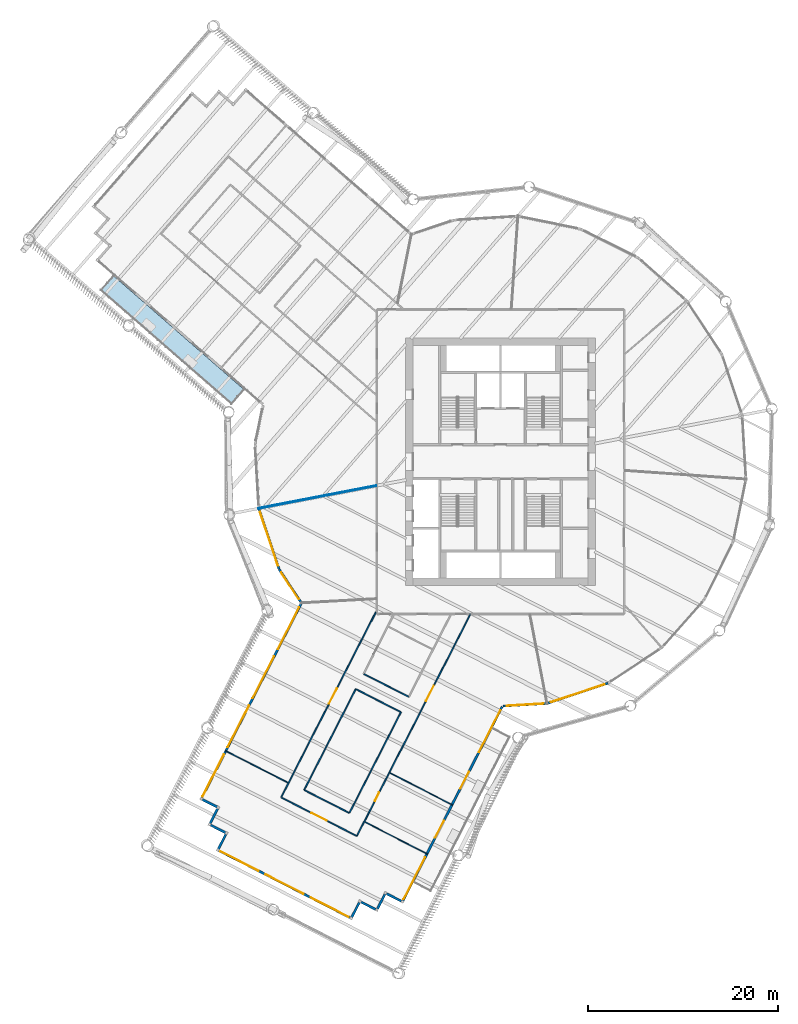
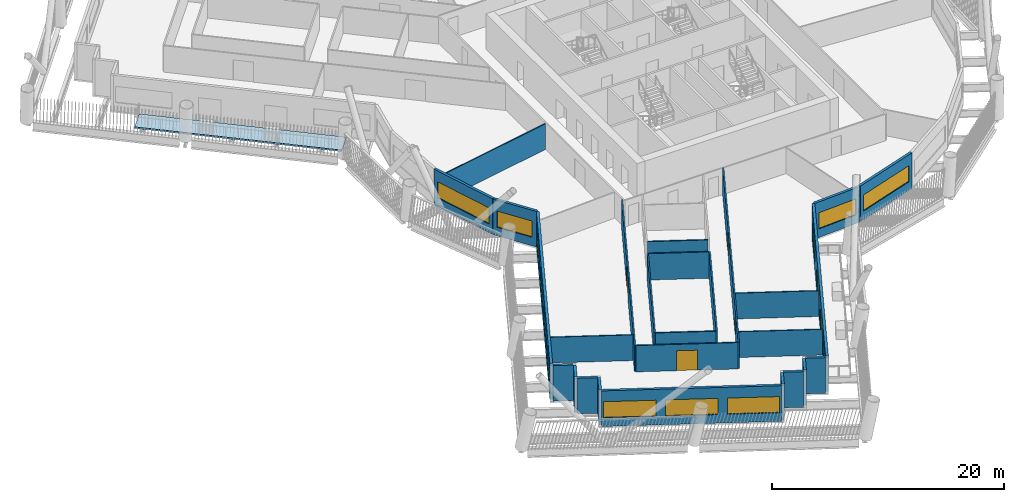
# One storey, part 3 of 21: 27 walls, 13 windows, 6 doors, 1 slab, 19 openings.
"""IFC4 building model written with IfcOpenShell, lengths in metres."""

from ifc_helpers import new_model, si_unit, direction, frame, frame_2d, origin, place, context, subcontext, project, spatial, polyline, rectangle, outline, extrude, material, layer, layer_set, type_object, element, fill, save


model = new_model("IFC4")

# Units and contexts
model_context = context("Model", 3, precision=1e-05, world=origin(), true_north=direction((0.0, 1.0)))
body_context = subcontext(model_context, "Body", "Model", "MODEL_VIEW")
ifc_project = project(units=[si_unit("LENGTHUNIT", "METRE"), si_unit("AREAUNIT", "SQUARE_METRE"), si_unit("VOLUMEUNIT", "CUBIC_METRE"), si_unit("PLANEANGLEUNIT", "RADIAN"), si_unit("MASSUNIT", "GRAM", prefix="KILO")], contexts=[model_context])

# Site, building, storey
site_placement = place(None, origin())
site = spatial("IfcSite", under=ifc_project, at=site_placement, CompositionType="ELEMENT")
building_placement = place(site_placement, origin())
building = spatial("IfcBuilding", under=site, at=building_placement, Name="Tarsis Ring Headquarters", CompositionType="ELEMENT")
storey_placement = place(building_placement, frame((0.0, 0.0, 100.60009765625)))
storey = spatial("IfcBuildingStorey", under=building, at=storey_placement, Name="L22", CompositionType="ELEMENT", Elevation=100.60009765625)

# Slab
ifc_material_1 = material(Name="Concrete C40/50", Category="concrete")
ifc_layer_1 = layer(ifc_material_1, 0.159912109375)
ifc_layer_set_1 = layer_set([ifc_layer_1], Name="Balcony slab concrete C40/50")
slab_type = type_object("IfcSlabType", Name="Balcony slab concrete C40/50", PredefinedType="FLOOR", material=ifc_layer_set_1)
slab_placement = place(storey_placement, frame((0.0, 0.0, -0.16015625)))
element("IfcSlab", 1, at=slab_placement, inside=storey, type_object=slab_type, Name="Balcony slab L22-01", PredefinedType="FLOOR", context=body_context, shape_type="SweptSolid", body=[
    extrude(outline(polyline([(-40.67529296875, 19.538818359375), (-41.989501953125, 18.03125), (-28.291748046875, 6.09033203125), (-26.977294921875, 7.597900390625), (-40.67529296875, 19.538818359375)])), origin(), (0.0, 0.0, 1.0), 0.16015625),
])

# Walls
ifc_material_2 = material(Name="Gypsum board on steel studs", Category="steel")
ifc_layer_2 = layer(ifc_material_2, 0.10009765625)
ifc_layer_set_2 = layer_set([ifc_layer_2], Name="FL partition 100 unrated")
wall_type_1 = type_object("IfcWallType", Name="FL partition 100 unrated", PredefinedType="PARTITIONING", material=ifc_layer_set_2)
wall_1_placement = place(storey_placement, frame((-25.47802734375, -4.91552734375, 0.0), z_axis=(0.0, 0.0, 1.0), x_axis=(0.981894530576, 0.189428431935, 0.0)))
element("IfcWall", 2, at=wall_1_placement, inside=storey, type_object=wall_type_1, Name="Partition PW3", PredefinedType="PARTITIONING", context=body_context, shape_type="SweptSolid", body=[
    extrude(rectangle(XDim=12.63818359375, YDim=0.10009765625, at=frame_2d((6.319091796875, 0.0))), origin(), (0.0, 0.0, 1.0), 2.699951171875),
])
for number, where, z_axis, x_axis, name in (
    (3, (-11.626953125, -32.71337890625, 0.0), (0.0, 0.0, 1.0), (0.89037147491, -0.455234705034, 0.0), "Partition PW3"),
    (4, (-14.2626953125, -37.86865234375, 0.0), (0.0, 0.0, 1.0), (0.89037147491, -0.455234705034, 0.0), "Partition PW3"),
):
    element("IfcWall", number, at=place(storey_placement, frame(where, z_axis=z_axis, x_axis=x_axis)), inside=storey, type_object=wall_type_1, Name=name, PredefinedType="PARTITIONING", context=body_context, shape_type="SweptSolid", body=[
        extrude(rectangle(XDim=7.409912109375, YDim=0.10009765625, at=frame_2d((3.705078125, 0.0))), origin(), (0.0, 0.0, 1.0), 2.699951171875),
    ])
wall_2_placement = place(storey_placement, frame((-28.94482421875, -30.36181640625, 0.0), z_axis=(0.0, 0.0, 1.0), x_axis=(0.890364646628, -0.455248059892, 0.0)))
element("IfcWall", 5, at=wall_2_placement, inside=storey, type_object=wall_type_1, Name="Partition PW3", PredefinedType="PARTITIONING", context=body_context, shape_type="SweptSolid", body=[
    extrude(rectangle(XDim=7.40966796875, YDim=0.10009765625, at=frame_2d((3.704833984375, 0.0))), origin(), (0.0, 0.0, 1.0), 2.699951171875),
])

# Wall, openings, doors
ifc_layer_3 = layer(ifc_material_2, 0.125)
ifc_layer_set_3 = layer_set([ifc_layer_3], Name="FL partition 125 EI 60 H2770")
wall_type_2 = type_object("IfcWallType", Name="FL partition 125 EI 60 H2770", PredefinedType="PARTITIONING", material=ifc_layer_set_3)
wall_3_placement = place(storey_placement, frame((-15.098876953125, -39.350341796875, 0.0), z_axis=(0.0, 0.0, 1.0), x_axis=(0.455235058143, 0.89037129437, 0.0)))
wall_3 = element("IfcWall", 6, at=wall_3_placement, inside=storey, type_object=wall_type_2, Name="Partition PW1", PredefinedType="PARTITIONING", context=body_context, shape_type="SweptSolid", body=[
    extrude(rectangle(XDim=26.225341796875, YDim=0.125, at=frame_2d((13.11279296875, 0.0))), origin(), (0.0, 0.0, 1.0), 2.77001953125),
])
opening_1_placement = place(wall_3_placement, frame((15.95556640625, 0.0, 0.0)))
opening_1 = element("IfcOpeningElement", 7, at=opening_1_placement, cuts=wall_3, Name="Opening D22.08", PredefinedType="OPENING", context=body_context, shape_type="SweptSolid", body=[
    extrude(rectangle(XDim=1.800048828125, YDim=2.10009765625, at=frame_2d((0.89990234375, 1.050048828125))), frame((0.0, 0.072509765625, 0.0), z_axis=(0.0, -1.0, 0.0), x_axis=(1.0, 0.0, 0.0)), (0.0, 0.0, 1.0), 0.14501953125),
])
opening_2_placement = place(wall_3_placement, frame((4.142822265625, 0.0, 0.0)))
opening_2 = element("IfcOpeningElement", 8, at=opening_2_placement, cuts=wall_3, Name="Opening D22.09", PredefinedType="OPENING", context=body_context, shape_type="SweptSolid", body=[
    extrude(rectangle(XDim=1.0, YDim=2.10009765625, at=frame_2d((0.5, 1.050048828125))), frame((0.0, 0.072509765625, 0.0), z_axis=(0.0, -1.0, 0.0), x_axis=(1.0, 0.0, 0.0)), (0.0, 0.0, 1.0), 0.14501953125),
])
ifc_material_3 = material(Name="Fire-rated timber door leaf in steel frame", Category="steel")
door_type_1 = type_object("IfcDoorType", Name="FL door FD60-1000", OperationType="NOTDEFINED", PredefinedType="DOOR", material=ifc_material_3)
door_1_placement = place(opening_2_placement, origin())
door_1 = element("IfcDoor", 9, at=door_1_placement, inside=storey, type_object=door_type_1, Name="Door D22.09", OperationType="SINGLE_SWING_LEFT", OverallHeight=2.10009765625, OverallWidth=1.0, PredefinedType="DOOR", context=body_context, shape_type="SweptSolid", body=[
    extrude(rectangle(XDim=1.0, YDim=2.10009765625, at=frame_2d((0.5, 1.050048828125))), frame((0.0, 0.02490234375, 0.0), z_axis=(0.0, -1.0, 0.0), x_axis=(1.0, 0.0, 0.0)), (0.0, 0.0, 1.0), 0.050048828125),
])
fill(opening_2, door_1)
door_type_2 = type_object("IfcDoorType", Name="FL door FD60-1800", OperationType="DOUBLE_DOOR_SINGLE_SWING", PredefinedType="DOOR", material=ifc_material_3)
door_2_placement = place(opening_1_placement, origin())
door_2 = element("IfcDoor", 10, at=door_2_placement, inside=storey, type_object=door_type_2, Name="Door D22.08", OperationType="DOUBLE_DOOR_SINGLE_SWING", OverallHeight=2.10009765625, OverallWidth=1.800048828125, PredefinedType="DOOR", context=body_context, shape_type="SweptSolid", body=[
    extrude(rectangle(XDim=1.800048828125, YDim=2.10009765625, at=frame_2d((0.89990234375, 1.050048828125))), frame((0.0, 0.02490234375, 0.0), z_axis=(0.0, -1.0, 0.0), x_axis=(1.0, 0.0, 0.0)), (0.0, 0.0, 1.0), 0.050048828125),
])
fill(opening_1, door_2)

# Wall, opening, door
wall_4_placement = place(storey_placement, frame((-23.058837890625, -35.280517578125, 0.0), z_axis=(0.0, 0.0, 1.0), x_axis=(0.455233870398, 0.890371901647, 0.0)))
wall_4 = element("IfcWall", 11, at=wall_4_placement, inside=storey, type_object=wall_type_2, Name="Partition PW1", PredefinedType="PARTITIONING", context=body_context, shape_type="SweptSolid", body=[
    extrude(rectangle(XDim=21.855712890625, YDim=0.125, at=frame_2d((10.927734375, 0.0))), origin(), (0.0, 0.0, 1.0), 2.77001953125),
])
opening_3_placement = place(wall_4_placement, frame((11.048095703125, 0.0, 0.0)))
opening_3 = element("IfcOpeningElement", 12, at=opening_3_placement, cuts=wall_4, Name="Opening D22.11", PredefinedType="OPENING", context=body_context, shape_type="SweptSolid", body=[
    extrude(rectangle(XDim=1.800048828125, YDim=2.10009765625, at=frame_2d((0.89990234375, 1.050048828125))), frame((0.0, 0.072509765625, 0.0), z_axis=(0.0, -1.0, 0.0), x_axis=(1.0, 0.0, 0.0)), (0.0, 0.0, 1.0), 0.14501953125),
])
door_3_placement = place(opening_3_placement, origin())
door_3 = element("IfcDoor", 13, at=door_3_placement, inside=storey, type_object=door_type_2, Name="Door D22.11", OperationType="DOUBLE_DOOR_SINGLE_SWING", OverallHeight=2.10009765625, OverallWidth=1.800048828125, PredefinedType="DOOR", context=body_context, shape_type="SweptSolid", body=[
    extrude(rectangle(XDim=1.800048828125, YDim=2.10009765625, at=frame_2d((0.89990234375, 1.050048828125))), frame((0.0, 0.02490234375, 0.0), z_axis=(0.0, -1.0, 0.0), x_axis=(1.0, 0.0, 0.0)), (0.0, 0.0, 1.0), 0.050048828125),
])
fill(opening_3, door_3)

# Walls
for number, where, z_axis, x_axis, name in (
    (14, (-15.882080078125, -36.92822265625, 0.0), (0.0, 0.0, 1.0), (0.455239273439, 0.890369139132, 0.0), "Partition PW1"),
    (15, (-20.63671875, -34.497314453125, 0.0), (0.0, 0.0, 1.0), (0.455239273439, 0.890369139132, 0.0), "Partition PW1"),
):
    element("IfcWall", number, at=place(storey_placement, frame(where, z_axis=z_axis, x_axis=x_axis)), inside=storey, type_object=wall_type_2, Name=name, PredefinedType="PARTITIONING", context=body_context, shape_type="SweptSolid", body=[
        extrude(rectangle(XDim=11.909912109375, YDim=0.125, at=frame_2d((5.955078125, 0.0))), origin(), (0.0, 0.0, 1.0), 2.77001953125),
    ])

# Wall, opening, door
wall_5_placement = place(storey_placement, frame((-23.00537109375, -35.307861328125, 0.0), z_axis=(0.0, 0.0, 1.0), x_axis=(0.89037185604, -0.455233959598, 0.0)))
wall_5 = element("IfcWall", 16, at=wall_5_placement, inside=storey, type_object=wall_type_2, Name="Partition PW1", PredefinedType="PARTITIONING", context=body_context, shape_type="SweptSolid", body=[
    extrude(rectangle(XDim=8.81982421875, YDim=0.125, at=frame_2d((4.409912109375, 0.0))), origin(), (0.0, 0.0, 1.0), 2.77001953125),
])
opening_4_placement = place(wall_5_placement, frame((3.510009765625, 0.0, 0.0)))
opening_4 = element("IfcOpeningElement", 17, at=opening_4_placement, cuts=wall_5, Name="Opening D22.10", PredefinedType="OPENING", context=body_context, shape_type="SweptSolid", body=[
    extrude(rectangle(XDim=1.800048828125, YDim=2.10009765625, at=frame_2d((0.89990234375, 1.050048828125))), frame((0.0, 0.072509765625, 0.0), z_axis=(0.0, -1.0, 0.0), x_axis=(1.0, 0.0, 0.0)), (0.0, 0.0, 1.0), 0.14501953125),
])
door_4_placement = place(opening_4_placement, origin())
door_4 = element("IfcDoor", 18, at=door_4_placement, inside=storey, type_object=door_type_2, Name="Door D22.10", OperationType="DOUBLE_DOOR_SINGLE_SWING", OverallHeight=2.10009765625, OverallWidth=1.800048828125, PredefinedType="DOOR", context=body_context, shape_type="SweptSolid", body=[
    extrude(rectangle(XDim=1.800048828125, YDim=2.10009765625, at=frame_2d((0.89990234375, 1.050048828125))), frame((0.0, 0.02490234375, 0.0), z_axis=(0.0, -1.0, 0.0), x_axis=(1.0, 0.0, 0.0)), (0.0, 0.0, 1.0), 0.050048828125),
])
fill(opening_4, door_4)

# Walls
for number, where, z_axis, x_axis, name in (
    (19, (-14.342041015625, -22.317626953125, 0.0), (0.0, 0.0, 1.0), (0.89035927772, -0.455258560137, 0.0), "Partition PW1"),
    (20, (-20.583251953125, -34.524658203125, 0.0), (0.0, 0.0, 1.0), (0.89037823525, -0.45522148257, 0.0), "Partition PW1"),
):
    element("IfcWall", number, at=place(storey_placement, frame(where, z_axis=z_axis, x_axis=x_axis)), inside=storey, type_object=wall_type_2, Name=name, PredefinedType="PARTITIONING", context=body_context, shape_type="SweptSolid", body=[
        extrude(rectangle(XDim=5.219970703125, YDim=0.125, at=frame_2d((2.60986328125, 0.0))), origin(), (0.0, 0.0, 1.0), 2.77001953125),
    ])
wall_6_placement = place(storey_placement, frame((-15.16162109375, -23.92041015625, 0.0), z_axis=(0.0, 0.0, 1.0), x_axis=(0.890387926826, -0.455202526095, 0.0)))
element("IfcWall", 21, at=wall_6_placement, inside=storey, type_object=wall_type_2, Name="Partition PW1", PredefinedType="PARTITIONING", context=body_context, shape_type="SweptSolid", body=[
    extrude(rectangle(XDim=5.22021484375, YDim=0.125, at=frame_2d((2.610107421875, 0.0))), origin(), (0.0, 0.0, 1.0), 2.77001953125),
])

# Wall, opening, window
ifc_material_4 = material(Name="Terracotta clad insulated panel wall", Category="masonry")
ifc_layer_4 = layer(ifc_material_4, 0.25)
ifc_layer_set_4 = layer_set([ifc_layer_4], Name="Facade wall terracotta panel 250")
wall_type_3 = type_object("IfcWallType", Name="Facade wall terracotta panel 250", PredefinedType="STANDARD", material=ifc_layer_set_4)
wall_7_placement = place(storey_placement, frame((-25.400146484375, -4.917236328125, 0.0), z_axis=(0.0, 0.0, 1.0), x_axis=(0.315977123627, -0.948766808728, 0.0)))
wall_7 = element("IfcWall", 22, at=wall_7_placement, inside=storey, type_object=wall_type_3, Name="External wall L22-04", PredefinedType="STANDARD", context=body_context, shape_type="SweptSolid", body=[
    extrude(rectangle(XDim=6.72119140625, YDim=0.25, at=frame_2d((3.360595703125, 0.0))), origin(), (0.0, 0.0, 1.0), 3.739990234375),
])
opening_5_placement = place(wall_7_placement, frame((0.3857421875, 0.0, 0.89990234375)))
opening_5 = element("IfcOpeningElement", 23, at=opening_5_placement, cuts=wall_7, Name="Opening WN07", PredefinedType="OPENING", context=body_context, shape_type="SweptSolid", body=[
    extrude(rectangle(XDim=5.949951171875, YDim=1.699951171875, at=frame_2d((2.97509765625, 0.85009765625))), frame((0.0, 0.135009765625, 0.0), z_axis=(0.0, -1.0, 0.0), x_axis=(1.0, 0.0, 0.0)), (0.0, 0.0, 1.0), 0.27001953125),
])
ifc_material_5 = material(Name="Aluminium framed double glazing", Category="aluminium")
window_type_1 = type_object("IfcWindowType", Name="Facade window 5950 x 1700", PartitioningType="SINGLE_PANEL", PredefinedType="WINDOW", material=ifc_material_5)
window_1_placement = place(opening_5_placement, origin())
window_1 = element("IfcWindow", 24, at=window_1_placement, inside=storey, type_object=window_type_1, Name="Window L22-04.1", OverallHeight=1.699951171875, OverallWidth=5.949951171875, PartitioningType="SINGLE_PANEL", PredefinedType="WINDOW", context=body_context, shape_type="SweptSolid", body=[
    extrude(rectangle(XDim=5.949951171875, YDim=1.699951171875, at=frame_2d((2.97509765625, 0.85009765625))), frame((0.0, 0.030029296875, 0.0), z_axis=(0.0, -1.0, 0.0), x_axis=(1.0, 0.0, 0.0)), (0.0, 0.0, 1.0), 0.06005859375),
])
fill(opening_5, window_1)

wall_8_placement = place(storey_placement, frame((-23.261962890625, -11.32373046875, 0.0), z_axis=(0.0, 0.0, 1.0), x_axis=(0.550777575311, -0.834652060762, 0.0)))
wall_8 = element("IfcWall", 25, at=wall_8_placement, inside=storey, type_object=wall_type_3, Name="External wall L22-05", PredefinedType="STANDARD", context=body_context, shape_type="SweptSolid", body=[
    extrude(rectangle(XDim=4.157470703125, YDim=0.25, at=frame_2d((2.07861328125, 0.0))), origin(), (0.0, 0.0, 1.0), 3.739990234375),
])
opening_6_placement = place(wall_8_placement, frame((0.38720703125, 0.0, 0.89990234375)))
opening_6 = element("IfcOpeningElement", 26, at=opening_6_placement, cuts=wall_8, Name="Opening WN01", PredefinedType="OPENING", context=body_context, shape_type="SweptSolid", body=[
    extrude(rectangle(XDim=3.35009765625, YDim=1.699951171875, at=frame_2d((1.675048828125, 0.85009765625))), frame((0.0, 0.135009765625, 0.0), z_axis=(0.0, -1.0, 0.0), x_axis=(1.0, 0.0, 0.0)), (0.0, 0.0, 1.0), 0.27001953125),
])
window_type_2 = type_object("IfcWindowType", Name="Facade window 3350 x 1700", PartitioningType="SINGLE_PANEL", PredefinedType="WINDOW", material=ifc_material_5)
window_2_placement = place(opening_6_placement, origin())
window_2 = element("IfcWindow", 27, at=window_2_placement, inside=storey, type_object=window_type_2, Name="Window L22-05.1", OverallHeight=1.699951171875, OverallWidth=3.35009765625, PartitioningType="SINGLE_PANEL", PredefinedType="WINDOW", context=body_context, shape_type="SweptSolid", body=[
    extrude(rectangle(XDim=3.35009765625, YDim=1.699951171875, at=frame_2d((1.675048828125, 0.85009765625))), frame((0.0, 0.030029296875, 0.0), z_axis=(0.0, -1.0, 0.0), x_axis=(1.0, 0.0, 0.0)), (0.0, 0.0, 1.0), 0.06005859375),
])
fill(opening_6, window_2)

# Wall, openings, windows
wall_9_placement = place(storey_placement, frame((-20.96533203125, -14.91943359375, 0.0), z_axis=(0.0, 0.0, 1.0), x_axis=(-0.455230596945, -0.890373575307, 0.0)))
wall_9 = element("IfcWall", 28, at=wall_9_placement, inside=storey, type_object=wall_type_3, Name="External wall L22-06", PredefinedType="STANDARD", context=body_context, shape_type="SweptSolid", body=[
    extrude(rectangle(XDim=22.922119140625, YDim=0.25, at=frame_2d((11.4609375, 0.0))), origin(), (0.0, 0.0, 1.0), 3.739990234375),
])
opening_7_placement = place(wall_9_placement, frame((0.42138671875, 0.0, 0.89990234375)))
opening_7 = element("IfcOpeningElement", 29, at=opening_7_placement, cuts=wall_9, Name="Opening WN05", PredefinedType="OPENING", context=body_context, shape_type="SweptSolid", body=[
    extrude(rectangle(XDim=4.949951171875, YDim=1.699951171875, at=frame_2d((2.47509765625, 0.85009765625))), frame((0.0, 0.135009765625, 0.0), z_axis=(0.0, -1.0, 0.0), x_axis=(1.0, 0.0, 0.0)), (0.0, 0.0, 1.0), 0.27001953125),
])
opening_8_placement = place(wall_9_placement, frame((6.214599609375, 0.0, 0.89990234375)))
opening_8 = element("IfcOpeningElement", 30, at=opening_8_placement, cuts=wall_9, Name="Opening WN05", PredefinedType="OPENING", context=body_context, shape_type="SweptSolid", body=[
    extrude(rectangle(XDim=4.949951171875, YDim=1.699951171875, at=frame_2d((2.47509765625, 0.85009765625))), frame((0.0, 0.135009765625, 0.0), z_axis=(0.0, -1.0, 0.0), x_axis=(1.0, 0.0, 0.0)), (0.0, 0.0, 1.0), 0.27001953125),
])
opening_9_placement = place(wall_9_placement, frame((12.007568359375, 0.0, 0.89990234375)))
opening_9 = element("IfcOpeningElement", 31, at=opening_9_placement, cuts=wall_9, Name="Opening WN05", PredefinedType="OPENING", context=body_context, shape_type="SweptSolid", body=[
    extrude(rectangle(XDim=4.949951171875, YDim=1.699951171875, at=frame_2d((2.47509765625, 0.85009765625))), frame((0.0, 0.135009765625, 0.0), z_axis=(0.0, -1.0, 0.0), x_axis=(1.0, 0.0, 0.0)), (0.0, 0.0, 1.0), 0.27001953125),
])
opening_10_placement = place(wall_9_placement, frame((17.800537109375, 0.0, 0.89990234375)))
opening_10 = element("IfcOpeningElement", 32, at=opening_10_placement, cuts=wall_9, Name="Opening WN05", PredefinedType="OPENING", context=body_context, shape_type="SweptSolid", body=[
    extrude(rectangle(XDim=4.949951171875, YDim=1.699951171875, at=frame_2d((2.47509765625, 0.85009765625))), frame((0.0, 0.135009765625, 0.0), z_axis=(0.0, -1.0, 0.0), x_axis=(1.0, 0.0, 0.0)), (0.0, 0.0, 1.0), 0.27001953125),
])
window_type_3 = type_object("IfcWindowType", Name="Facade window 4950 x 1700", PartitioningType="SINGLE_PANEL", PredefinedType="WINDOW", material=ifc_material_5)
window_3_placement = place(opening_7_placement, origin())
window_3 = element("IfcWindow", 33, at=window_3_placement, inside=storey, type_object=window_type_3, Name="Window L22-06.1", OverallHeight=1.699951171875, OverallWidth=4.949951171875, PartitioningType="SINGLE_PANEL", PredefinedType="WINDOW", context=body_context, shape_type="SweptSolid", body=[
    extrude(rectangle(XDim=4.949951171875, YDim=1.699951171875, at=frame_2d((2.47509765625, 0.85009765625))), frame((0.0, 0.030029296875, 0.0), z_axis=(0.0, -1.0, 0.0), x_axis=(1.0, 0.0, 0.0)), (0.0, 0.0, 1.0), 0.06005859375),
])
fill(opening_7, window_3)
window_4_placement = place(opening_8_placement, origin())
window_4 = element("IfcWindow", 34, at=window_4_placement, inside=storey, type_object=window_type_3, Name="Window L22-06.2", OverallHeight=1.699951171875, OverallWidth=4.949951171875, PartitioningType="SINGLE_PANEL", PredefinedType="WINDOW", context=body_context, shape_type="SweptSolid", body=[
    extrude(rectangle(XDim=4.949951171875, YDim=1.699951171875, at=frame_2d((2.47509765625, 0.85009765625))), frame((0.0, 0.030029296875, 0.0), z_axis=(0.0, -1.0, 0.0), x_axis=(1.0, 0.0, 0.0)), (0.0, 0.0, 1.0), 0.06005859375),
])
fill(opening_8, window_4)
window_5_placement = place(opening_9_placement, origin())
window_5 = element("IfcWindow", 35, at=window_5_placement, inside=storey, type_object=window_type_3, Name="Window L22-06.3", OverallHeight=1.699951171875, OverallWidth=4.949951171875, PartitioningType="SINGLE_PANEL", PredefinedType="WINDOW", context=body_context, shape_type="SweptSolid", body=[
    extrude(rectangle(XDim=4.949951171875, YDim=1.699951171875, at=frame_2d((2.47509765625, 0.85009765625))), frame((0.0, 0.030029296875, 0.0), z_axis=(0.0, -1.0, 0.0), x_axis=(1.0, 0.0, 0.0)), (0.0, 0.0, 1.0), 0.06005859375),
])
fill(opening_9, window_5)
window_6_placement = place(opening_10_placement, origin())
window_6 = element("IfcWindow", 36, at=window_6_placement, inside=storey, type_object=window_type_3, Name="Window L22-06.4", OverallHeight=1.699951171875, OverallWidth=4.949951171875, PartitioningType="SINGLE_PANEL", PredefinedType="WINDOW", context=body_context, shape_type="SweptSolid", body=[
    extrude(rectangle(XDim=4.949951171875, YDim=1.699951171875, at=frame_2d((2.47509765625, 0.85009765625))), frame((0.0, 0.030029296875, 0.0), z_axis=(0.0, -1.0, 0.0), x_axis=(1.0, 0.0, 0.0)), (0.0, 0.0, 1.0), 0.06005859375),
])
fill(opening_10, window_6)

# Walls
for number, where, z_axis, x_axis, name in (
    (37, (-31.345703125, -35.496826171875, 0.0), (0.0, 0.0, 1.0), (0.890373111264, -0.455231504553, 0.0), "External wall L22-07"),
    (38, (-29.733154296875, -36.461669921875, 0.0), (0.0, 0.0, 1.0), (-0.455231504553, -0.890373111264, 0.0), "External wall L22-08"),
    (39, (-30.475341796875, -38.18798828125, 0.0), (0.0, 0.0, 1.0), (0.890373111264, -0.455231504553, 0.0), "External wall L22-09"),
    (40, (-28.863037109375, -39.15283203125, 0.0), (0.0, 0.0, 1.0), (-0.455231504553, -0.890373111264, 0.0), "External wall L22-10"),
):
    element("IfcWall", number, at=place(storey_placement, frame(where, z_axis=z_axis, x_axis=x_axis)), inside=storey, type_object=wall_type_3, Name=name, PredefinedType="STANDARD", context=body_context, shape_type="SweptSolid", body=[
        extrude(rectangle(XDim=1.75, YDim=0.25, at=frame_2d((0.875, 0.0))), origin(), (0.0, 0.0, 1.0), 3.739990234375),
    ])

# Wall, openings, windows
wall_10_placement = place(storey_placement, frame((-29.605224609375, -40.879150390625, 0.0), z_axis=(0.0, 0.0, 1.0), x_axis=(0.890371410651, -0.455234830715, 0.0)))
wall_10 = element("IfcWall", 41, at=wall_10_placement, inside=storey, type_object=wall_type_3, Name="External wall L22-11", PredefinedType="STANDARD", context=body_context, shape_type="SweptSolid", body=[
    extrude(rectangle(XDim=15.5, YDim=0.25, at=frame_2d((7.75, 0.0))), origin(), (0.0, 0.0, 1.0), 3.739990234375),
])
opening_11_placement = place(wall_10_placement, frame((0.166748046875, 0.0, 0.89990234375)))
opening_11 = element("IfcOpeningElement", 42, at=opening_11_placement, cuts=wall_10, Name="Opening WN04", PredefinedType="OPENING", context=body_context, shape_type="SweptSolid", body=[
    extrude(rectangle(XDim=4.5, YDim=1.699951171875, at=frame_2d((2.25, 0.85009765625))), frame((0.0, 0.135009765625, 0.0), z_axis=(0.0, -1.0, 0.0), x_axis=(1.0, 0.0, 0.0)), (0.0, 0.0, 1.0), 0.27001953125),
])
opening_12_placement = place(wall_10_placement, frame((5.5, 0.0, 0.89990234375)))
opening_12 = element("IfcOpeningElement", 43, at=opening_12_placement, cuts=wall_10, Name="Opening WN04", PredefinedType="OPENING", context=body_context, shape_type="SweptSolid", body=[
    extrude(rectangle(XDim=4.5, YDim=1.699951171875, at=frame_2d((2.25, 0.85009765625))), frame((0.0, 0.135009765625, 0.0), z_axis=(0.0, -1.0, 0.0), x_axis=(1.0, 0.0, 0.0)), (0.0, 0.0, 1.0), 0.27001953125),
])
opening_13_placement = place(wall_10_placement, frame((10.833251953125, 0.0, 0.89990234375)))
opening_13 = element("IfcOpeningElement", 44, at=opening_13_placement, cuts=wall_10, Name="Opening WN04", PredefinedType="OPENING", context=body_context, shape_type="SweptSolid", body=[
    extrude(rectangle(XDim=4.5, YDim=1.699951171875, at=frame_2d((2.25, 0.85009765625))), frame((0.0, 0.135009765625, 0.0), z_axis=(0.0, -1.0, 0.0), x_axis=(1.0, 0.0, 0.0)), (0.0, 0.0, 1.0), 0.27001953125),
])
window_type_4 = type_object("IfcWindowType", Name="Facade window 4500 x 1700", PartitioningType="SINGLE_PANEL", PredefinedType="WINDOW", material=ifc_material_5)
window_7_placement = place(opening_11_placement, origin())
window_7 = element("IfcWindow", 45, at=window_7_placement, inside=storey, type_object=window_type_4, Name="Window L22-11.1", OverallHeight=1.699951171875, OverallWidth=4.5, PartitioningType="SINGLE_PANEL", PredefinedType="WINDOW", context=body_context, shape_type="SweptSolid", body=[
    extrude(rectangle(XDim=4.5, YDim=1.699951171875, at=frame_2d((2.25, 0.85009765625))), frame((0.0, 0.030029296875, 0.0), z_axis=(0.0, -1.0, 0.0), x_axis=(1.0, 0.0, 0.0)), (0.0, 0.0, 1.0), 0.06005859375),
])
fill(opening_11, window_7)
window_8_placement = place(opening_12_placement, origin())
window_8 = element("IfcWindow", 46, at=window_8_placement, inside=storey, type_object=window_type_4, Name="Window L22-11.2", OverallHeight=1.699951171875, OverallWidth=4.5, PartitioningType="SINGLE_PANEL", PredefinedType="WINDOW", context=body_context, shape_type="SweptSolid", body=[
    extrude(rectangle(XDim=4.5, YDim=1.699951171875, at=frame_2d((2.25, 0.85009765625))), frame((0.0, 0.030029296875, 0.0), z_axis=(0.0, -1.0, 0.0), x_axis=(1.0, 0.0, 0.0)), (0.0, 0.0, 1.0), 0.06005859375),
])
fill(opening_12, window_8)
window_9_placement = place(opening_13_placement, origin())
window_9 = element("IfcWindow", 47, at=window_9_placement, inside=storey, type_object=window_type_4, Name="Window L22-11.3", OverallHeight=1.699951171875, OverallWidth=4.5, PartitioningType="SINGLE_PANEL", PredefinedType="WINDOW", context=body_context, shape_type="SweptSolid", body=[
    extrude(rectangle(XDim=4.5, YDim=1.699951171875, at=frame_2d((2.25, 0.85009765625))), frame((0.0, 0.030029296875, 0.0), z_axis=(0.0, -1.0, 0.0), x_axis=(1.0, 0.0, 0.0)), (0.0, 0.0, 1.0), 0.06005859375),
])
fill(opening_13, window_9)

# Walls
for number, where, z_axis, x_axis, name in (
    (48, (-15.63623046875, -47.880859375, 0.0), (0.0, 0.0, 1.0), (0.455231504553, 0.890373111264, 0.0), "External wall L22-12"),
    (49, (-14.67138671875, -46.268310546875, 0.0), (0.0, 0.0, 1.0), (0.890316559684, -0.455342095081, 0.0), "External wall L22-13"),
    (50, (-12.945068359375, -47.0107421875, 0.0), (0.0, 0.0, 1.0), (0.455231504553, 0.890373111264, 0.0), "External wall L22-14"),
    (51, (-11.980224609375, -45.398193359375, 0.0), (0.0, 0.0, 1.0), (0.890373111264, -0.455231504553, 0.0), "External wall L22-15"),
):
    element("IfcWall", number, at=place(storey_placement, frame(where, z_axis=z_axis, x_axis=x_axis)), inside=storey, type_object=wall_type_3, Name=name, PredefinedType="STANDARD", context=body_context, shape_type="SweptSolid", body=[
        extrude(rectangle(XDim=1.75, YDim=0.25, at=frame_2d((0.875, 0.0))), origin(), (0.0, 0.0, 1.0), 3.739990234375),
    ])

# Wall, openings, doors, windows
wall_11_placement = place(storey_placement, frame((-10.25390625, -46.140380859375, 0.0), z_axis=(0.0, 0.0, 1.0), x_axis=(0.455237842362, 0.89036987083, 0.0)))
wall_11 = element("IfcWall", 52, at=wall_11_placement, inside=storey, type_object=wall_type_3, Name="External wall L22-16", PredefinedType="STANDARD", context=body_context, shape_type="SweptSolid", body=[
    extrude(rectangle(XDim=22.9013671875, YDim=0.25, at=frame_2d((11.45068359375, 0.0))), origin(), (0.0, 0.0, 1.0), 3.739990234375),
])
opening_14_placement = place(wall_11_placement, frame((0.1689453125, 0.0, 0.89990234375)))
opening_14 = element("IfcOpeningElement", 53, at=opening_14_placement, cuts=wall_11, Name="Opening WN05", PredefinedType="OPENING", context=body_context, shape_type="SweptSolid", body=[
    extrude(rectangle(XDim=4.949951171875, YDim=1.699951171875, at=frame_2d((2.47509765625, 0.85009765625))), frame((0.0, 0.135009765625, 0.0), z_axis=(0.0, -1.0, 0.0), x_axis=(1.0, 0.0, 0.0)), (0.0, 0.0, 1.0), 0.27001953125),
])
opening_15_placement = place(wall_11_placement, frame((7.431640625, 0.0, 0.0)))
opening_15 = element("IfcOpeningElement", 54, at=opening_15_placement, cuts=wall_11, Name="Opening L22-BD03", PredefinedType="OPENING", context=body_context, shape_type="SweptSolid", body=[
    extrude(rectangle(XDim=2.0, YDim=2.39990234375, at=frame_2d((1.0, 1.199951171875))), frame((0.0, 0.135009765625, 0.0), z_axis=(0.0, -1.0, 0.0), x_axis=(1.0, 0.0, 0.0)), (0.0, 0.0, 1.0), 0.27001953125),
])
opening_16_placement = place(wall_11_placement, frame((13.219482421875, 0.0, 0.0)))
opening_16 = element("IfcOpeningElement", 55, at=opening_16_placement, cuts=wall_11, Name="Opening L22-BD04", PredefinedType="OPENING", context=body_context, shape_type="SweptSolid", body=[
    extrude(rectangle(XDim=2.0, YDim=2.39990234375, at=frame_2d((1.0, 1.199951171875))), frame((0.0, 0.135009765625, 0.0), z_axis=(0.0, -1.0, 0.0), x_axis=(1.0, 0.0, 0.0)), (0.0, 0.0, 1.0), 0.27001953125),
])
opening_17_placement = place(wall_11_placement, frame((17.532470703125, 0.0, 0.89990234375)))
opening_17 = element("IfcOpeningElement", 56, at=opening_17_placement, cuts=wall_11, Name="Opening WN05", PredefinedType="OPENING", context=body_context, shape_type="SweptSolid", body=[
    extrude(rectangle(XDim=4.949951171875, YDim=1.699951171875, at=frame_2d((2.47509765625, 0.85009765625))), frame((0.0, 0.135009765625, 0.0), z_axis=(0.0, -1.0, 0.0), x_axis=(1.0, 0.0, 0.0)), (0.0, 0.0, 1.0), 0.27001953125),
])
door_type_3 = type_object("IfcDoorType", Name="Balcony sliding door 2000 x 2400", OperationType="SLIDING_TO_LEFT", PredefinedType="DOOR", material=ifc_material_5)
door_5_placement = place(opening_15_placement, origin())
door_5 = element("IfcDoor", 57, at=door_5_placement, inside=storey, type_object=door_type_3, Name="Door L22-BD03", OperationType="SINGLE_SWING_LEFT", OverallHeight=2.39990234375, OverallWidth=2.0, PredefinedType="DOOR", context=body_context, shape_type="SweptSolid", body=[
    extrude(rectangle(XDim=2.0, YDim=2.39990234375, at=frame_2d((1.0, 1.199951171875))), frame((0.0, 0.02490234375, 0.0), z_axis=(0.0, -1.0, 0.0), x_axis=(1.0, 0.0, 0.0)), (0.0, 0.0, 1.0), 0.050048828125),
])
fill(opening_15, door_5)
door_6_placement = place(opening_16_placement, origin())
door_6 = element("IfcDoor", 58, at=door_6_placement, inside=storey, type_object=door_type_3, Name="Door L22-BD04", OperationType="SINGLE_SWING_LEFT", OverallHeight=2.39990234375, OverallWidth=2.0, PredefinedType="DOOR", context=body_context, shape_type="SweptSolid", body=[
    extrude(rectangle(XDim=2.0, YDim=2.39990234375, at=frame_2d((1.0, 1.199951171875))), frame((0.0, 0.02490234375, 0.0), z_axis=(0.0, -1.0, 0.0), x_axis=(1.0, 0.0, 0.0)), (0.0, 0.0, 1.0), 0.050048828125),
])
fill(opening_16, door_6)
window_10_placement = place(opening_14_placement, origin())
window_10 = element("IfcWindow", 59, at=window_10_placement, inside=storey, type_object=window_type_3, Name="Window L22-16.1", OverallHeight=1.699951171875, OverallWidth=4.949951171875, PartitioningType="SINGLE_PANEL", PredefinedType="WINDOW", context=body_context, shape_type="SweptSolid", body=[
    extrude(rectangle(XDim=4.949951171875, YDim=1.699951171875, at=frame_2d((2.47509765625, 0.85009765625))), frame((0.0, 0.030029296875, 0.0), z_axis=(0.0, -1.0, 0.0), x_axis=(1.0, 0.0, 0.0)), (0.0, 0.0, 1.0), 0.06005859375),
])
fill(opening_14, window_10)
window_11_placement = place(opening_17_placement, origin())
window_11 = element("IfcWindow", 60, at=window_11_placement, inside=storey, type_object=window_type_3, Name="Window L22-16.4", OverallHeight=1.699951171875, OverallWidth=4.949951171875, PartitioningType="SINGLE_PANEL", PredefinedType="WINDOW", context=body_context, shape_type="SweptSolid", body=[
    extrude(rectangle(XDim=4.949951171875, YDim=1.699951171875, at=frame_2d((2.47509765625, 0.85009765625))), frame((0.0, 0.030029296875, 0.0), z_axis=(0.0, -1.0, 0.0), x_axis=(1.0, 0.0, 0.0)), (0.0, 0.0, 1.0), 0.06005859375),
])
fill(opening_17, window_11)

# Wall, opening, window
wall_12_placement = place(storey_placement, frame((0.275390625, -25.681884765625, 0.0), z_axis=(0.0, 0.0, 1.0), x_axis=(0.998220173942, 0.059636266946, 0.0)))
wall_12 = element("IfcWall", 61, at=wall_12_placement, inside=storey, type_object=wall_type_3, Name="External wall L22-17", PredefinedType="STANDARD", context=body_context, shape_type="SweptSolid", body=[
    extrude(rectangle(XDim=4.617919921875, YDim=0.25, at=frame_2d((2.30908203125, 0.0))), origin(), (0.0, 0.0, 1.0), 3.739990234375),
])
opening_18_placement = place(wall_12_placement, frame((0.400390625, 0.0, 0.89990234375)))
opening_18 = element("IfcOpeningElement", 62, at=opening_18_placement, cuts=wall_12, Name="Opening WN02", PredefinedType="OPENING", context=body_context, shape_type="SweptSolid", body=[
    extrude(rectangle(XDim=3.85009765625, YDim=1.699951171875, at=frame_2d((1.925048828125, 0.85009765625))), frame((0.0, 0.135009765625, 0.0), z_axis=(0.0, -1.0, 0.0), x_axis=(1.0, 0.0, 0.0)), (0.0, 0.0, 1.0), 0.27001953125),
])
window_type_5 = type_object("IfcWindowType", Name="Facade window 3850 x 1700", PartitioningType="SINGLE_PANEL", PredefinedType="WINDOW", material=ifc_material_5)
window_12_placement = place(opening_18_placement, origin())
window_12 = element("IfcWindow", 63, at=window_12_placement, inside=storey, type_object=window_type_5, Name="Window L22-17.1", OverallHeight=1.699951171875, OverallWidth=3.85009765625, PartitioningType="SINGLE_PANEL", PredefinedType="WINDOW", context=body_context, shape_type="SweptSolid", body=[
    extrude(rectangle(XDim=3.85009765625, YDim=1.699951171875, at=frame_2d((1.925048828125, 0.85009765625))), frame((0.0, 0.030029296875, 0.0), z_axis=(0.0, -1.0, 0.0), x_axis=(1.0, 0.0, 0.0)), (0.0, 0.0, 1.0), 0.06005859375),
])
fill(opening_18, window_12)

wall_13_placement = place(storey_placement, frame((4.917236328125, -25.400146484375, 0.0), z_axis=(0.0, 0.0, 1.0), x_axis=(0.948766808728, 0.315977123627, 0.0)))
wall_13 = element("IfcWall", 64, at=wall_13_placement, inside=storey, type_object=wall_type_3, Name="External wall L22-18", PredefinedType="STANDARD", context=body_context, shape_type="SweptSolid", body=[
    extrude(rectangle(XDim=6.72119140625, YDim=0.25, at=frame_2d((3.360595703125, 0.0))), origin(), (0.0, 0.0, 1.0), 3.739990234375),
])
opening_19_placement = place(wall_13_placement, frame((0.3857421875, 0.0, 0.89990234375)))
opening_19 = element("IfcOpeningElement", 65, at=opening_19_placement, cuts=wall_13, Name="Opening WN07", PredefinedType="OPENING", context=body_context, shape_type="SweptSolid", body=[
    extrude(rectangle(XDim=5.949951171875, YDim=1.699951171875, at=frame_2d((2.97509765625, 0.85009765625))), frame((0.0, 0.135009765625, 0.0), z_axis=(0.0, -1.0, 0.0), x_axis=(1.0, 0.0, 0.0)), (0.0, 0.0, 1.0), 0.27001953125),
])
window_13_placement = place(opening_19_placement, origin())
window_13 = element("IfcWindow", 66, at=window_13_placement, inside=storey, type_object=window_type_1, Name="Window L22-18.1", OverallHeight=1.699951171875, OverallWidth=5.949951171875, PartitioningType="SINGLE_PANEL", PredefinedType="WINDOW", context=body_context, shape_type="SweptSolid", body=[
    extrude(rectangle(XDim=5.949951171875, YDim=1.699951171875, at=frame_2d((2.97509765625, 0.85009765625))), frame((0.0, 0.030029296875, 0.0), z_axis=(0.0, -1.0, 0.0), x_axis=(1.0, 0.0, 0.0)), (0.0, 0.0, 1.0), 0.06005859375),
])
fill(opening_19, window_13)

save(model, "model.ifc")
